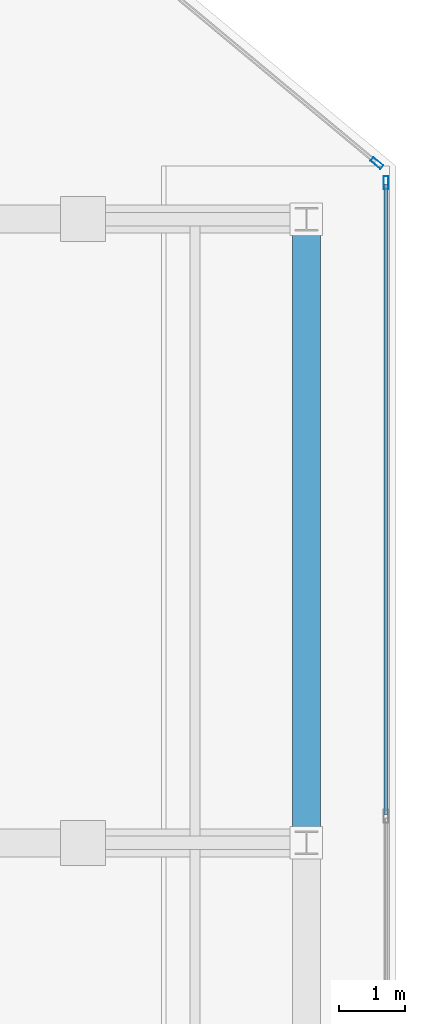
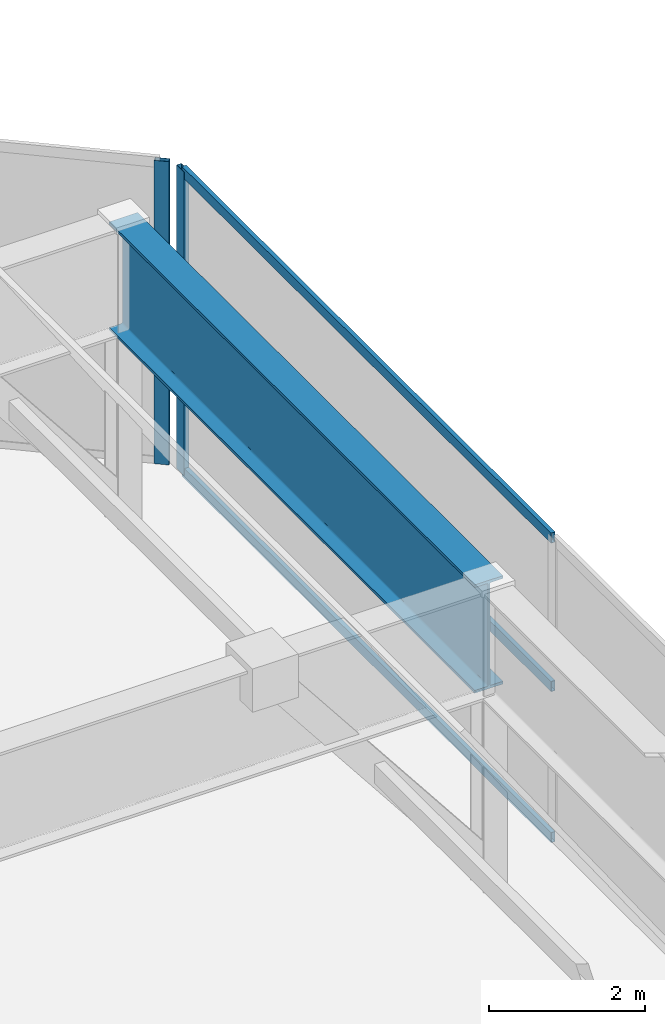
# One storey, part 13 of 21: 5 members, 1 beam, 2 elements without a shape of their own.
"""IFC4 building model written with IfcOpenShell, lengths in metres."""

import ifcopenshell
import ifcopenshell.guid

model = None  # the IFC model being written
_history = None  # IfcOwnerHistory: only IFC2X3 demands one
_inside = {}  # id of a spatial element -> (the spatial element, [elements in it])
_under = {}  # id of a project, library or spatial element -> (it, [spatial elements below it])
_declared = {}  # id of a project -> (the project, [libraries it declares])
_typed = {}  # id of a type object -> (the type object, [elements of that type])
_made_of = {}  # id of a material, layer set ... -> (it, [elements and type objects made of it])


def new_model(schema):
    """Start an empty IFC model of exactly this schema.

    Asked for "IFC4X3", IfcOpenShell would pick the latest addendum, in which some entities
    have other attributes; the version numbers below select the first issue.
    IFC2X3 requires an IfcOwnerHistory on every rooted entity: one is made here for all.
    """
    global model, _history
    if schema == "IFC4X3":
        model = ifcopenshell.file(schema_version=(4, 3, 0, 0))
    else:
        model = ifcopenshell.file(schema=schema)
    _inside.clear()
    _under.clear()
    _declared.clear()
    _typed.clear()
    _made_of.clear()
    _history = None
    if model.schema == "IFC2X3":
        org = make("IfcOrganization", Name="unknown")
        user = make(
            "IfcPersonAndOrganization",
            ThePerson=make("IfcPerson", FamilyName="unknown"),
            TheOrganization=org,
        )
        app = make(
            "IfcApplication",
            ApplicationDeveloper=org,
            Version="unknown",
            ApplicationFullName="unknown",
            ApplicationIdentifier="unknown",
        )
        _history = make(
            "IfcOwnerHistory",
            OwningUser=user,
            OwningApplication=app,
            ChangeAction="ADDED",
            CreationDate=0,
        )
    return model


def make(cls, **values):
    """One entity of the class cls with the attributes given. An attribute that is None is left unset."""
    return model.create_entity(
        cls, **{name: value for name, value in values.items() if value is not None}
    )


def rooted(cls, **values):
    """An entity with a GlobalId (a new one), such as an element, a storey or a relation."""
    return make(cls, GlobalId=ifcopenshell.guid.new(), OwnerHistory=_history, **values)


def si_unit(unit_type, name, prefix=None):
    """IfcSIUnit, for example si_unit("LENGTHUNIT", "METRE", prefix="MILLI")."""
    return make("IfcSIUnit", UnitType=unit_type, Prefix=prefix, Name=name)


def assignment(units):
    """IfcUnitAssignment: the units of a project."""
    return None if units is None else make("IfcUnitAssignment", Units=units)


def point(xyz):
    """IfcCartesianPoint."""
    return None if xyz is None else make("IfcCartesianPoint", Coordinates=xyz)


def direction(xyz):
    """IfcDirection."""
    return None if xyz is None else make("IfcDirection", DirectionRatios=xyz)


def frame(location, z_axis=None, x_axis=None):
    """IfcAxis2Placement3D, a coordinate frame: its origin and axes. An axis left out is left unset."""
    return make(
        "IfcAxis2Placement3D",
        Location=point(location),
        Axis=direction(z_axis),
        RefDirection=direction(x_axis),
    )


def frame_2d(location, x_axis=None):
    """IfcAxis2Placement2D, a coordinate frame in the plane: its origin and x axis."""
    return make(
        "IfcAxis2Placement2D", Location=point(location), RefDirection=direction(x_axis)
    )


def origin():
    """The frame at (0, 0, 0) with its axes left unset."""
    return frame((0.0, 0.0, 0.0))


def origin_2d():
    """The frame at (0, 0) in the plane with its x axis left unset."""
    return frame_2d((0.0, 0.0))


def place(relative_to, where):
    """IfcLocalPlacement: puts the frame where relative to a parent placement (None: the world)."""
    return make(
        "IfcLocalPlacement", PlacementRelTo=relative_to, RelativePlacement=where
    )


def context(
    kind, dimensions, precision=None, world=None, true_north=None, identifier=None
):
    """IfcGeometricRepresentationContext, for example the 3D "Model" context."""
    return make(
        "IfcGeometricRepresentationContext",
        ContextIdentifier=identifier,
        ContextType=kind,
        CoordinateSpaceDimension=dimensions,
        Precision=precision,
        WorldCoordinateSystem=world,
        TrueNorth=true_north,
    )


def subcontext(parent, identifier, kind, view, scale=None):
    """IfcGeometricRepresentationSubContext, for example "Body" below "Model"."""
    return make(
        "IfcGeometricRepresentationSubContext",
        ContextIdentifier=identifier,
        ContextType=kind,
        ParentContext=parent,
        TargetScale=scale,
        TargetView=view,
    )


def project(units=None, contexts=None):
    """IfcProject with its units and contexts."""
    return rooted(
        "IfcProject",
        Name="project",
        RepresentationContexts=contexts,
        UnitsInContext=assignment(units),
    )


def spatial(cls, under=None, at=None, **own):
    """A site, building, storey or space (cls), placed at a placement, below another one or the project."""
    s = rooted(cls, ObjectPlacement=at, **own)
    if under is not None:
        _under.setdefault(under.id(), (under, []))[1].append(s)
    return s


def profile(cls, at=None, kind="AREA", **sizes):
    """A parametric profile (cls). Its sizes go by their IFC names, for example OverallWidth=200.0."""
    return make(cls, ProfileType=kind, Position=at, **sizes)


def hollow_rectangle(**sizes):
    """IfcRectangleHollowProfileDef."""
    return profile("IfcRectangleHollowProfileDef", **sizes)


def i_section(**sizes):
    """IfcIShapeProfileDef."""
    return profile("IfcIShapeProfileDef", **sizes)


def extrude(swept, where, along, depth):
    """IfcExtrudedAreaSolid: the profile swept, set in the frame where, extruded along a direction by depth."""
    return make(
        "IfcExtrudedAreaSolid",
        SweptArea=swept,
        Position=where,
        ExtrudedDirection=direction(along),
        Depth=depth,
    )


def shape(context_of_items, identifier, shape_type, items):
    """IfcShapeRepresentation: the items that make up one representation, for example the "Body"."""
    return make(
        "IfcShapeRepresentation",
        ContextOfItems=context_of_items,
        RepresentationIdentifier=identifier,
        RepresentationType=shape_type,
        Items=items,
    )


def material(Name=None, Category=None):
    """IfcMaterial."""
    return make("IfcMaterial", Name=Name, Category=Category)


def layer(
    of_material, thickness, ventilated=None, Name=None, Category=None, Priority=None
):
    """IfcMaterialLayer: one layer of a wall or slab, of a material (None: an air gap)."""
    return make(
        "IfcMaterialLayer",
        Material=of_material,
        LayerThickness=thickness,
        IsVentilated=ventilated,
        Name=Name,
        Category=Category,
        Priority=Priority,
    )


def layer_set(layers, Name=None):
    """IfcMaterialLayerSet."""
    return make("IfcMaterialLayerSet", MaterialLayers=layers, LayerSetName=Name)


def material_profile(
    of_material, cross_section, Name=None, Category=None, Priority=None
):
    """IfcMaterialProfile: a cross section and its material."""
    return make(
        "IfcMaterialProfile",
        Name=Name,
        Material=of_material,
        Profile=cross_section,
        Priority=Priority,
        Category=Category,
    )


def profile_set(profiles, Name=None, composite=None):
    """IfcMaterialProfileSet."""
    return make(
        "IfcMaterialProfileSet",
        Name=Name,
        MaterialProfiles=profiles,
        CompositeProfile=composite,
    )


def made_of(thing, what):
    """Note that an element or type object is made of a material, layer set ...; save() writes the relation."""
    if what is not None:
        _made_of.setdefault(what.id(), (what, []))[1].append(thing)
    return thing


def type_object(cls, material=None, **own):
    """A type object (cls), such as IfcWallType, which elements share."""
    return made_of(rooted(cls, **own), material)


def element(
    cls,
    number,
    at=None,
    inside=None,
    cuts=None,
    type_object=None,
    material=None,
    context=None,
    identifier="Body",
    shape_type=None,
    held_by="IfcProductDefinitionShape",
    body=None,
    shapes=None,
    **own,
):
    """One element of the class cls, such as IfcWall. Its Tag is "e" and its number.

    at: its placement. inside: the storey or other place that contains it. cuts: it is an
    opening in that element (IfcRelVoidsElement). A single representation is given by context,
    identifier, shape_type and body (its items); several are given by shapes. held_by: the class
    of the entity that holds the representations. save() writes the other relations.
    """
    e = rooted(cls, Tag="e%d" % number, ObjectPlacement=at, **own)
    if body is not None:
        shapes = [shape(context, identifier, shape_type, body)]
    if shapes is not None:
        e.Representation = make(held_by, Representations=shapes)
    if inside is not None:
        _inside.setdefault(inside.id(), (inside, []))[1].append(e)
    if cuts is not None:
        rooted(
            "IfcRelVoidsElement", RelatingBuildingElement=cuts, RelatedOpeningElement=e
        )
    if type_object is not None:
        _typed.setdefault(type_object.id(), (type_object, []))[1].append(e)
    return made_of(e, material)


def aggregate(whole, parts):
    """IfcRelAggregates: a whole, such as a stair, and the parts it consists of."""
    return rooted("IfcRelAggregates", RelatingObject=whole, RelatedObjects=parts)


def save(model, path):
    """Write the relations noted so far, then the file.

    IfcRelAggregates (storeys below a building ...), IfcRelContainedInSpatialStructure (elements
    in a storey), IfcRelDefinesByType, IfcRelAssociatesMaterial and IfcRelDeclares: one each for
    every whole, place, type object, material and project.
    """
    for whole, parts in _under.values():
        aggregate(whole, parts)
    for where, things in _inside.values():
        rooted(
            "IfcRelContainedInSpatialStructure",
            RelatedElements=things,
            RelatingStructure=where,
        )
    for kind, things in _typed.values():
        rooted("IfcRelDefinesByType", RelatedObjects=things, RelatingType=kind)
    for what, things in _made_of.values():
        rooted("IfcRelAssociatesMaterial", RelatedObjects=things, RelatingMaterial=what)
    for by, libraries in _declared.values():
        rooted("IfcRelDeclares", RelatingContext=by, RelatedDefinitions=libraries)
    model.write(path)


model = new_model("IFC4")

# Units and contexts
model_context = context("Model", 3, precision=1e-05, world=origin(), true_north=direction((0.0, 1.0)))
body_context = subcontext(model_context, "Body", "Model", "MODEL_VIEW")
ifc_project = project(units=[si_unit("LENGTHUNIT", "METRE"), si_unit("AREAUNIT", "SQUARE_METRE"), si_unit("VOLUMEUNIT", "CUBIC_METRE"), si_unit("PLANEANGLEUNIT", "RADIAN"), si_unit("MASSUNIT", "GRAM", prefix="KILO")], contexts=[model_context])

# Site, building, storey
site_placement = place(None, origin())
site = spatial("IfcSite", under=ifc_project, at=site_placement, CompositionType="ELEMENT")
building_placement = place(site_placement, origin())
building = spatial("IfcBuilding", under=site, at=building_placement, Name="Calvorn Quay Hotel", CompositionType="ELEMENT")
storey_placement = place(building_placement, frame((0.0, 0.0, 320.5)))
storey = spatial("IfcBuildingStorey", under=building, at=storey_placement, Name="L79", CompositionType="ELEMENT", Elevation=320.5)

# Beam
ifc_material_1 = material(Name="Steel Q420GJC", Category="steel")
ifc_material_profile_1 = material_profile(ifc_material_1, i_section(OverallWidth=0.419921875, OverallDepth=1.699951171875, WebThickness=0.02392578125, FlangeThickness=0.0419921875, FilletRadius=0.02392578125, at=origin_2d()), Name="HN1700x420x24x42")
ifc_profile_set_1 = profile_set([ifc_material_profile_1], Name="Steel Q420GJC")
beam_type = type_object("IfcBeamType", Name="BM-XFER-SAWTOOTH", PredefinedType="BEAM", material=ifc_profile_set_1)
beam_placement = place(storey_placement, frame((33.48291015625, 14.199951171875, 3.889892578125), z_axis=(0.0, 1.0, 0.0), x_axis=(-1.0, 0.0, 0.0)))
element("IfcBeam", 1, at=beam_placement, inside=storey, type_object=beam_type, Name="Beam BTG-L79-CE2", PredefinedType="BEAM", context=body_context, shape_type="SweptSolid", body=[
    extrude(i_section(OverallWidth=0.419921875, OverallDepth=1.699951171875, WebThickness=0.02392578125, FlangeThickness=0.0419921875, FilletRadius=0.02392578125, at=origin_2d()), origin(), (0.0, 0.0, 1.0), 9.400146484375),
])

# Curtain wall, member
ifc_material_2 = material(Name="Pale Anodised Aluminium and Laminated Glass", Category="aluminium")
ifc_layer = layer(ifc_material_2, 0.219970703125)
ifc_layer_set = layer_set([ifc_layer], Name="CW-SYS-CRN")
curtain_wall_type = type_object("IfcCurtainWallType", Name="CW-SYS-CRN", PredefinedType="NOTDEFINED", material=ifc_layer_set)
curtain_wall_1_placement = place(storey_placement, origin())
curtain_wall_1 = element("IfcCurtainWall", 2, at=curtain_wall_1_placement, inside=storey, type_object=curtain_wall_type, Name="Crown Curtain Wall L79-C2", PredefinedType="NOTDEFINED")
ifc_material_3 = material(Name="Pale Anodised Aluminium 6063-T6", Category="aluminium")
ifc_material_profile_2 = material_profile(ifc_material_3, hollow_rectangle(XDim=0.072021484375, YDim=0.195068359375, WallThickness=0.00390625, at=origin_2d()), Name="ALU-M195x72x4")
ifc_profile_set_2 = profile_set([ifc_material_profile_2], Name="Pale Anodised Aluminium 6063-T6")
member_type_1 = type_object("IfcMemberType", Name="CW-SYS-CRN-MUL", PredefinedType="MULLION", material=ifc_profile_set_2)
member_1_placement = place(storey_placement, frame((34.68310546875, 24.14990234375, 0.0), z_axis=(0.0, 0.0, 1.0), x_axis=(-1.0, 0.0, 0.0)))
member_1 = element("IfcMember", 3, at=member_1_placement, type_object=member_type_1, Name="CW-L79-C2 mullion 3", PredefinedType="MULLION", context=body_context, shape_type="SweptSolid", body=[
    extrude(hollow_rectangle(XDim=0.072021484375, YDim=0.195068359375, WallThickness=0.00390625, at=origin_2d()), origin(), (0.0, 0.0, 1.0), 4.760009765625),
])

curtain_wall_2_placement = place(storey_placement, origin())
curtain_wall_2 = element("IfcCurtainWall", 4, at=curtain_wall_2_placement, inside=storey, type_object=curtain_wall_type, Name="Crown Curtain Wall L79-C3", PredefinedType="NOTDEFINED")
member_2_placement = place(storey_placement, frame((34.544921875, 24.445068359375, 0.0), z_axis=(0.0, 0.0, 1.0), x_axis=(-0.639416422391, -0.768860610759, 0.0)))
member_2 = element("IfcMember", 5, at=member_2_placement, type_object=member_type_1, Name="CW-L79-C3 mullion 1", PredefinedType="MULLION", context=body_context, shape_type="SweptSolid", body=[
    extrude(hollow_rectangle(XDim=0.072021484375, YDim=0.195068359375, WallThickness=0.00390625, at=origin_2d()), origin(), (0.0, 0.0, 1.0), 4.760009765625),
])
aggregate(curtain_wall_2, [member_2])

# Member
ifc_material_4 = material(Name="Pale Anodised Aluminium 6063-T6", Category="aluminium")
ifc_material_profile_3 = material_profile(ifc_material_4, hollow_rectangle(XDim=0.06201171875, YDim=0.159912109375, WallThickness=0.00341796875, at=origin_2d()), Name="ALU-T160x62x3.5")
ifc_profile_set_3 = profile_set([ifc_material_profile_3], Name="Pale Anodised Aluminium 6063-T6")
member_type_2 = type_object("IfcMemberType", Name="CW-SYS-CRN-TRN", PredefinedType="USERDEFINED", material=ifc_profile_set_3)
member_3_placement = place(storey_placement, frame((34.68310546875, 14.6298828125, 0.030029296875), z_axis=(0.0, 1.0, 0.0), x_axis=(-1.0, 0.0, 0.0)))
member_3 = element("IfcMember", 6, at=member_3_placement, type_object=member_type_2, Name="CW-L79-C2 transom 2.1", ObjectType="TRANSOM", PredefinedType="USERDEFINED", context=body_context, shape_type="SweptSolid", body=[
    extrude(hollow_rectangle(XDim=0.06201171875, YDim=0.159912109375, WallThickness=0.00341796875, at=origin_2d()), origin(), (0.0, 0.0, 1.0), 9.490234375),
])

member_4_placement = place(storey_placement, frame((34.68310546875, 14.6298828125, 2.39990234375), z_axis=(0.0, 1.0, 0.0), x_axis=(-1.0, 0.0, 0.0)))
member_4 = element("IfcMember", 7, at=member_4_placement, type_object=member_type_2, Name="CW-L79-C2 transom 2.2", ObjectType="TRANSOM", PredefinedType="USERDEFINED", context=body_context, shape_type="SweptSolid", body=[
    extrude(hollow_rectangle(XDim=0.06201171875, YDim=0.159912109375, WallThickness=0.00341796875, at=origin_2d()), origin(), (0.0, 0.0, 1.0), 9.490234375),
])

member_5_placement = place(storey_placement, frame((34.68310546875, 14.6298828125, 4.72998046875), z_axis=(0.0, 1.0, 0.0), x_axis=(-1.0, 0.0, 0.0)))
member_5 = element("IfcMember", 8, at=member_5_placement, type_object=member_type_2, Name="CW-L79-C2 transom 2.3", ObjectType="TRANSOM", PredefinedType="USERDEFINED", context=body_context, shape_type="SweptSolid", body=[
    extrude(hollow_rectangle(XDim=0.06201171875, YDim=0.159912109375, WallThickness=0.00341796875, at=origin_2d()), origin(), (0.0, 0.0, 1.0), 9.490234375),
])

aggregate(curtain_wall_1, [member_1, member_3, member_4, member_5])

save(model, "model.ifc")
